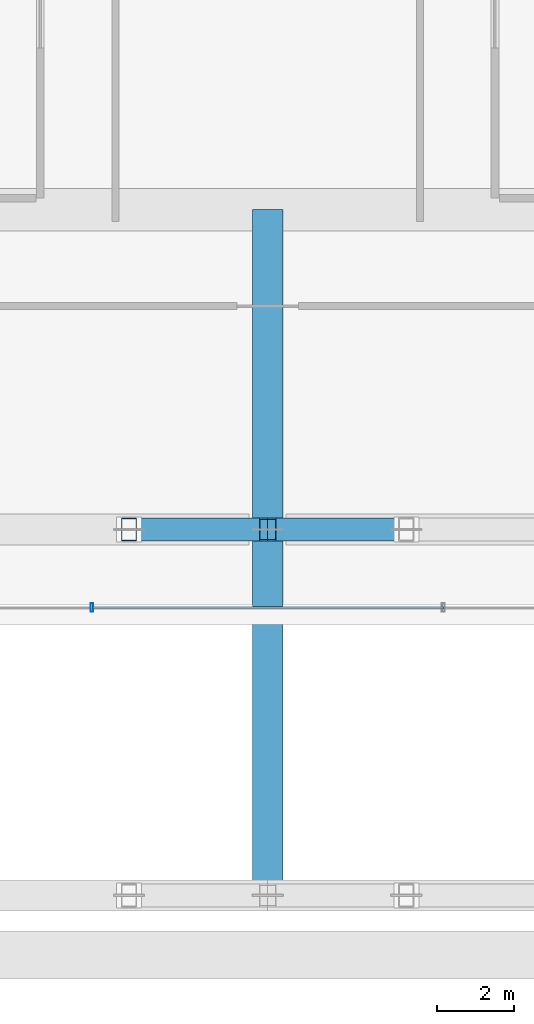
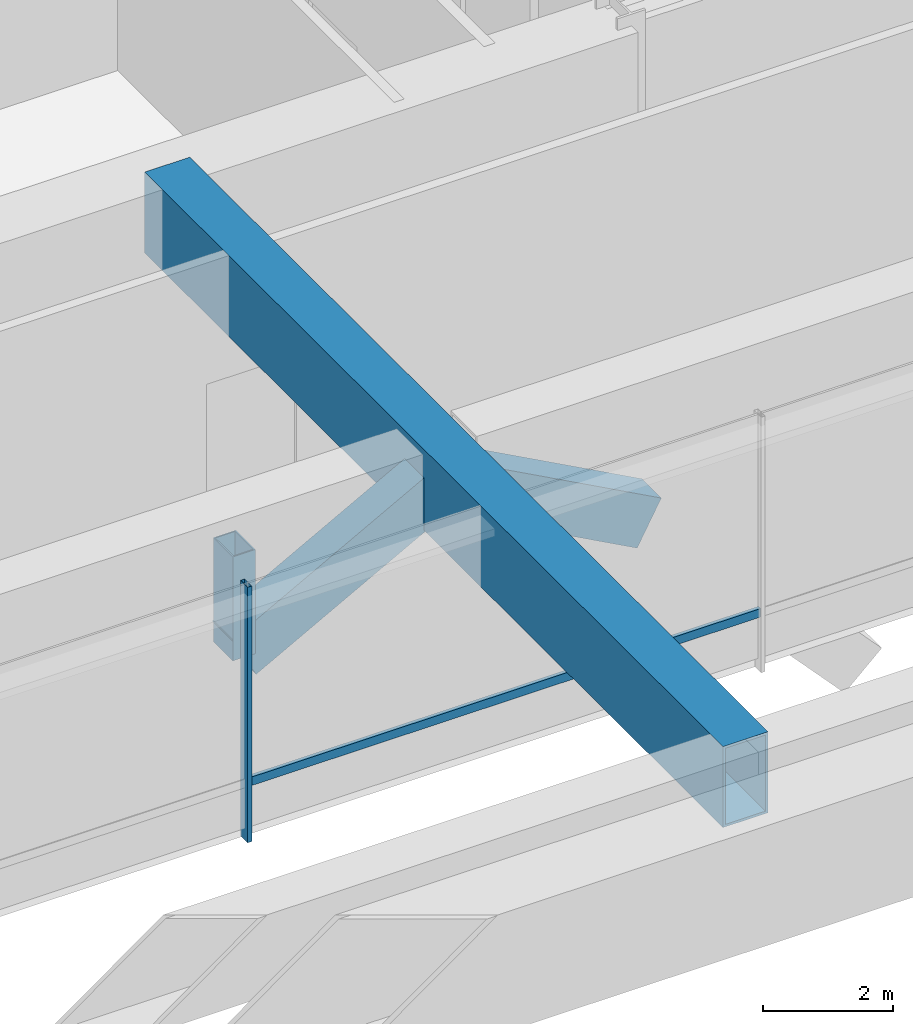
# One storey, part 5 of 37: 5 members, 1 beam, 1 element without a shape of its own.
"""IFC4 building model written with IfcOpenShell, lengths in metres."""

from ifc_helpers import new_model, si_unit, direction, frame, origin, origin_2d, place, context, subcontext, project, spatial, hollow_rectangle, extrude, material, layer, layer_set, material_profile, profile_set, type_object, element, aggregate, save


model = new_model("IFC4")

# Units and contexts
model_context = context("Model", 3, precision=1e-05, world=origin(), true_north=direction((0.0, 1.0)))
body_context = subcontext(model_context, "Body", "Model", "MODEL_VIEW")
ifc_project = project(units=[si_unit("LENGTHUNIT", "METRE"), si_unit("AREAUNIT", "SQUARE_METRE"), si_unit("VOLUMEUNIT", "CUBIC_METRE"), si_unit("PLANEANGLEUNIT", "RADIAN"), si_unit("MASSUNIT", "GRAM", prefix="KILO")], contexts=[model_context])

# Site, building, storey
site_placement = place(None, origin())
site = spatial("IfcSite", under=ifc_project, at=site_placement, CompositionType="ELEMENT")
building_placement = place(site_placement, origin())
building = spatial("IfcBuilding", under=site, at=building_placement, Name="Brelmoor Portico Tower", CompositionType="ELEMENT")
storey_placement = place(building_placement, frame((0.0, 0.0, 14.39990234375)))
storey = spatial("IfcBuildingStorey", under=building, at=storey_placement, Name="L03", CompositionType="ELEMENT", Elevation=14.39990234375)

# Beam
ifc_material_1 = material(Name="Steel Q420B", Category="steel")
ifc_material_profile_1 = material_profile(ifc_material_1, hollow_rectangle(XDim=0.800048828125, YDim=1.52001953125, WallThickness=0.044921875, at=origin_2d()), Name="BOX 800x1520x45")
ifc_profile_set_1 = profile_set([ifc_material_profile_1], Name="Steel Q420B")
beam_type = type_object("IfcBeamType", Name="BM-TG-TIE", PredefinedType="BEAM", material=ifc_profile_set_1)
beam_placement = place(storey_placement, frame((0.0, -27.550048828125, 3.820068359375), z_axis=(0.0, 1.0, 0.0), x_axis=(-1.0, 0.0, 0.0)))
element("IfcBeam", 1, at=beam_placement, inside=storey, type_object=beam_type, Name="L03 South Giant Arch Crown Tie Girder", PredefinedType="BEAM", context=body_context, shape_type="SweptSolid", body=[
    extrude(hollow_rectangle(XDim=0.800048828125, YDim=1.52001953125, WallThickness=0.044921875, at=origin_2d()), origin(), (0.0, 0.0, 1.0), 17.800048828125),
])

# Members
ifc_material_profile_2 = material_profile(ifc_material_1, hollow_rectangle(XDim=0.60009765625, YDim=0.89990234375, WallThickness=0.035888671875, at=origin_2d()), Name="RHS 600x900x36")
ifc_profile_set_2 = profile_set([ifc_material_profile_2], Name="Steel Q420B")
member_type_1 = type_object("IfcMemberType", Name="MB-ARCH-RIB", PredefinedType="CHORD", material=ifc_profile_set_2)
for number, where, z_axis, x_axis, name in (
    (2, (-3.60009765625, -18.050048828125, 1.800048828125), (0.878777744098, 0.0, 0.477231261002), (0.0, 1.0, 0.0), "Giant Portico Arch Rib S2-4"),
    (3, (0.0, -18.050048828125, 3.755126953125), (0.878777744098, 0.0, -0.477231261002), (0.0, 1.0, 0.0), "Giant Portico Arch Rib S2-5"),
):
    element("IfcMember", number, at=place(storey_placement, frame(where, z_axis=z_axis, x_axis=x_axis)), inside=storey, type_object=member_type_1, Name=name, PredefinedType="CHORD", context=body_context, shape_type="SweptSolid", body=[
        extrude(hollow_rectangle(XDim=0.60009765625, YDim=0.89990234375, WallThickness=0.035888671875, at=origin_2d()), origin(), (0.0, 0.0, 1.0), 4.0966796875),
    ])
ifc_material_2 = material(Name="Steel Q355B", Category="steel")
ifc_material_profile_3 = material_profile(ifc_material_2, hollow_rectangle(XDim=0.39990234375, YDim=0.60009765625, WallThickness=0.02392578125, at=origin_2d()), Name="RHS 400x600x24")
ifc_profile_set_3 = profile_set([ifc_material_profile_3], Name="Steel Q355B")
member_type_2 = type_object("IfcMemberType", Name="MB-ARCH-STRUT", PredefinedType="BRACE", material=ifc_profile_set_3)
member_1_placement = place(storey_placement, frame((-3.60009765625, -18.050048828125, 1.800048828125), z_axis=(0.0, 0.0, 1.0), x_axis=(1.0, 0.0, 0.0)))
element("IfcMember", 4, at=member_1_placement, inside=storey, type_object=member_type_2, Name="Portico Arch Spandrel Strut S2-3", PredefinedType="BRACE", context=body_context, shape_type="SweptSolid", body=[
    extrude(hollow_rectangle(XDim=0.39990234375, YDim=0.60009765625, WallThickness=0.02392578125, at=origin_2d()), origin(), (0.0, 0.0, 1.0), 1.955078125),
])

# Curtain wall, members
ifc_material_3 = material(Name="Anodised Aluminium Alloy 6063-T6", Category="aluminium")
ifc_layer = layer(ifc_material_3, 0.179931640625)
ifc_layer_set = layer_set([ifc_layer], Name="Anodised Aluminium Alloy 6063-T6")
curtain_wall_type = type_object("IfcCurtainWallType", Name="CW-PODIUM-ARCH", PredefinedType="NOTDEFINED", material=ifc_layer_set)
curtain_wall_placement = place(storey_placement, origin())
curtain_wall = element("IfcCurtainWall", 5, at=curtain_wall_placement, inside=storey, type_object=curtain_wall_type, Name="L03 Curtain Wall CW-L03-05", PredefinedType="NOTDEFINED")
ifc_material_profile_4 = material_profile(ifc_material_3, hollow_rectangle(XDim=0.074951171875, YDim=0.219970703125, WallThickness=0.0048828125, at=origin_2d()), Name="ALU MULLION 75x220")
ifc_profile_set_4 = profile_set([ifc_material_profile_4], Name="Anodised Aluminium Alloy 6063-T6")
member_type_3 = type_object("IfcMemberType", Name="MB-CW-MULL-220", PredefinedType="MULLION", material=ifc_profile_set_4)
member_2_placement = place(storey_placement, frame((-4.56005859375, -20.080078125, -0.219970703125), z_axis=(0.0, 0.0, 1.0), x_axis=(1.0, 0.0, 0.0)))
member_2 = element("IfcMember", 6, at=member_2_placement, type_object=member_type_3, Name="CW-L03-05 Mullion 01", PredefinedType="MULLION", context=body_context, shape_type="SweptSolid", body=[
    extrude(hollow_rectangle(XDim=0.074951171875, YDim=0.219970703125, WallThickness=0.0048828125, at=origin_2d()), origin(), (0.0, 0.0, 1.0), 4.800048828125),
])
ifc_material_profile_5 = material_profile(ifc_material_3, hollow_rectangle(XDim=0.070068359375, YDim=0.159912109375, WallThickness=0.00390625, at=origin_2d()), Name="ALU TRANSOM 70x160")
ifc_profile_set_5 = profile_set([ifc_material_profile_5], Name="Anodised Aluminium Alloy 6063-T6")
member_type_4 = type_object("IfcMemberType", Name="MB-CW-TRAN-160", PredefinedType="USERDEFINED", material=ifc_profile_set_5)
member_3_placement = place(storey_placement, frame((-4.56005859375, -20.080078125, 0.85009765625), z_axis=(1.0, 0.0, 0.0), x_axis=(0.0, 1.0, 0.0)))
member_3 = element("IfcMember", 7, at=member_3_placement, type_object=member_type_4, Name="CW-L03-05 Transom 1-01", ObjectType="TRANSOM", PredefinedType="USERDEFINED", context=body_context, shape_type="SweptSolid", body=[
    extrude(hollow_rectangle(XDim=0.070068359375, YDim=0.159912109375, WallThickness=0.00390625, at=origin_2d()), origin(), (0.0, 0.0, 1.0), 9.1201171875),
])
aggregate(curtain_wall, [member_2, member_3])

save(model, "model.ifc")
